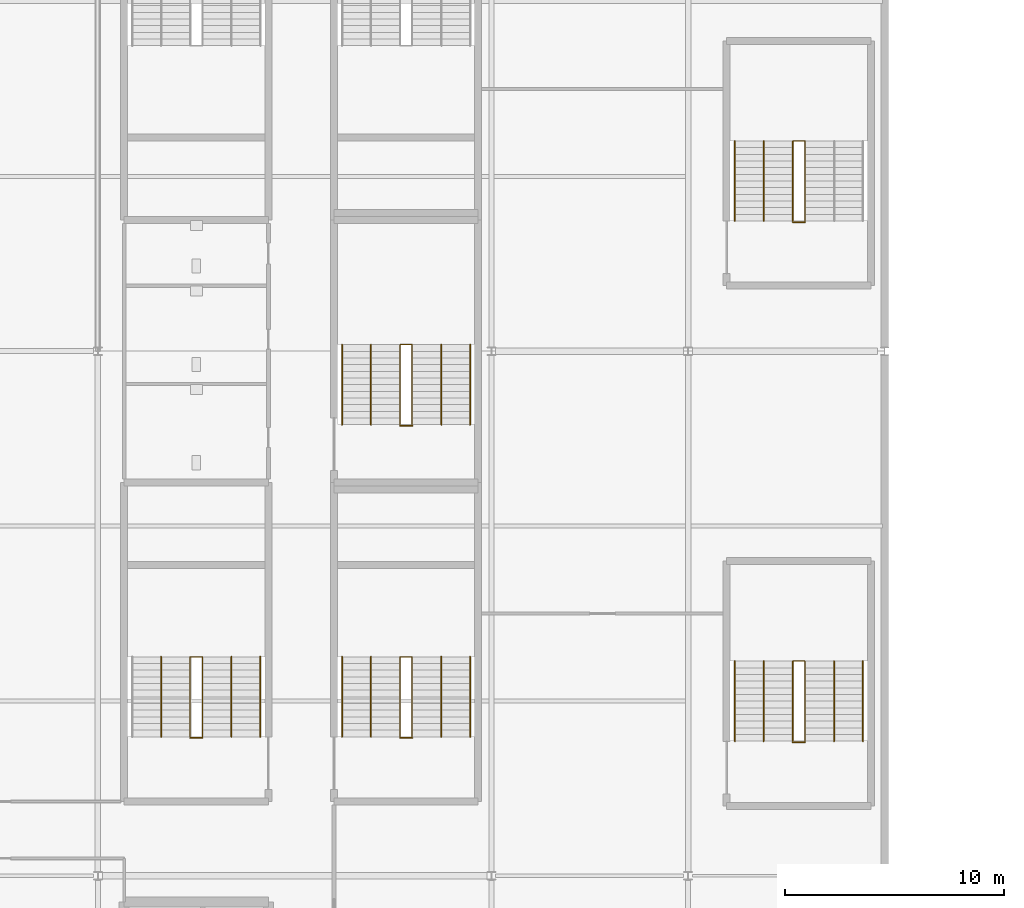
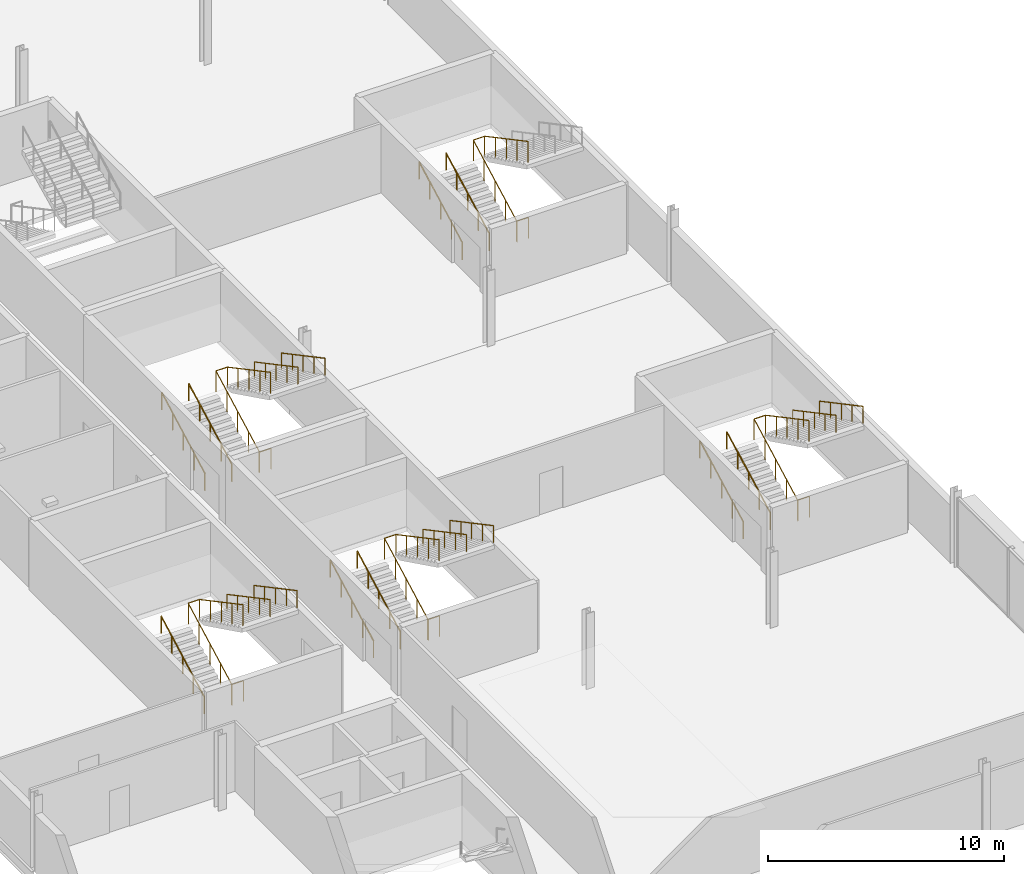
# One storey, part 97 of 105: 27 railings.
"""IFC4 building model written with IfcOpenShell, lengths in metres."""

from ifc_helpers import new_model, si_unit, direction, frame, origin, origin_2d, place, context, subcontext, project, spatial, circle, extrude, material, type_object, element, save


model = new_model("IFC4")

# Units and contexts
model_context = context("Model", 3, precision=1e-05, world=origin(), true_north=direction((0.0, 1.0)))
body_context = subcontext(model_context, "Body", "Model", "MODEL_VIEW")
ifc_project = project(units=[si_unit("LENGTHUNIT", "METRE"), si_unit("AREAUNIT", "SQUARE_METRE"), si_unit("VOLUMEUNIT", "CUBIC_METRE"), si_unit("PLANEANGLEUNIT", "RADIAN"), si_unit("MASSUNIT", "GRAM", prefix="KILO")], contexts=[model_context])

# Site, building, storey
site_placement = place(None, origin())
site = spatial("IfcSite", under=ifc_project, at=site_placement, CompositionType="ELEMENT")
building_placement = place(site_placement, origin())
building = spatial("IfcBuilding", under=site, at=building_placement, Name="Kisiwana Market Hall", CompositionType="ELEMENT")
storey_placement = place(building_placement, frame((0.0, 0.0, 21.60009765625)))
storey = spatial("IfcBuildingStorey", under=building, at=storey_placement, Name="L04", CompositionType="ELEMENT", Elevation=21.60009765625)

# Railings
ifc_material_1 = material(Name="Steel S275", Category="steel")
railing_type_1 = type_object("IfcRailingType", Name="RL-GUARD-1100", PredefinedType="GUARDRAIL", material=ifc_material_1)
railing_1_placement = place(storey_placement, frame((13.219970703125, 42.360107421875, 0.0)))
element("IfcRailing", 1, at=railing_1_placement, inside=storey, type_object=railing_type_1, Name="Stair ST-W3-L04 inner-well guardrail (RL-767)", PredefinedType="GUARDRAIL", context=body_context, shape_type="SweptSolid", body=[
    extrude(circle(Radius=0.02392578125, at=origin_2d()), frame((0.0, 0.0, 1.076171875), z_axis=(0.0, 0.88255331184, 0.47021234752), x_axis=(-1.0, 0.0, 0.0)), (0.0, 0.0, 1.0), 4.14697265625),
    extrude(circle(Radius=0.02392578125, at=origin_2d()), frame((0.0, 3.659912109375, 3.02587890625), z_axis=(1.0, 0.0, 0.0), x_axis=(0.0, 1.0, 0.0)), (0.0, 0.0, 1.0), 0.56005859375),
    extrude(circle(Radius=0.02392578125, at=origin_2d()), frame((0.56005859375, 3.659912109375, 3.02587890625), z_axis=(0.0, -0.88255331184, 0.47021234752), x_axis=(1.0, 0.0, 0.0)), (0.0, 0.0, 1.0), 4.14697265625),
    extrude(circle(Radius=0.02099609375, at=origin_2d()), origin(), (0.0, 0.0, 1.0), 1.052001953125),
    extrude(circle(Radius=0.02099609375, at=origin_2d()), frame((0.0, 0.9150390625, 0.487548828125)), (0.0, 0.0, 1.0), 1.052001953125),
    extrude(circle(Radius=0.02099609375, at=origin_2d()), frame((0.0, 1.830078125, 0.97509765625)), (0.0, 0.0, 1.0), 1.052001953125),
    extrude(circle(Radius=0.02099609375, at=origin_2d()), frame((0.0, 2.744873046875, 1.46240234375)), (0.0, 0.0, 1.0), 1.052001953125),
    extrude(circle(Radius=0.02099609375, at=origin_2d()), frame((0.0, 3.659912109375, 1.949951171875)), (0.0, 0.0, 1.0), 1.052001953125),
    extrude(circle(Radius=0.02099609375, at=origin_2d()), frame((0.56005859375, 3.659912109375, 1.949951171875)), (0.0, 0.0, 1.0), 1.052001953125),
    extrude(circle(Radius=0.02099609375, at=origin_2d()), frame((0.56005859375, 2.744873046875, 2.4375)), (0.0, 0.0, 1.0), 1.052001953125),
    extrude(circle(Radius=0.02099609375, at=origin_2d()), frame((0.56005859375, 1.830078125, 2.9248046875)), (0.0, 0.0, 1.0), 1.052001953125),
    extrude(circle(Radius=0.02099609375, at=origin_2d()), frame((0.56005859375, 0.9150390625, 3.412353515625)), (0.0, 0.0, 1.0), 1.052001953125),
    extrude(circle(Radius=0.02099609375, at=origin_2d()), frame((0.56005859375, 0.0, 3.89990234375)), (0.0, 0.0, 1.0), 1.052001953125),
])
railing_2_placement = place(storey_placement, frame((13.219970703125, 42.31005859375, 0.0)))
element("IfcRailing", 2, at=railing_2_placement, inside=storey, type_object=railing_type_1, Name="Stair ST-W3-L04 landing edge guardrail (RL-772)", PredefinedType="GUARDRAIL", context=body_context, shape_type="SweptSolid", body=[
    extrude(circle(Radius=0.02392578125, at=origin_2d()), frame((0.0, 0.0, 1.076171875), z_axis=(1.0, 0.0, 0.0), x_axis=(0.0, 1.0, 0.0)), (0.0, 0.0, 1.0), 0.56005859375),
    extrude(circle(Radius=0.02099609375, at=origin_2d()), origin(), (0.0, 0.0, 1.0), 1.052001953125),
    extrude(circle(Radius=0.02099609375, at=origin_2d()), frame((0.56005859375, 0.0, 0.0)), (0.0, 0.0, 1.0), 1.052001953125),
])
railing_3_placement = place(storey_placement, frame((22.820068359375, 42.360107421875, 0.0)))
element("IfcRailing", 3, at=railing_3_placement, inside=storey, type_object=railing_type_1, Name="Stair ST-W7-L04 inner-well guardrail (RL-791)", PredefinedType="GUARDRAIL", context=body_context, shape_type="SweptSolid", body=[
    extrude(circle(Radius=0.02392578125, at=origin_2d()), frame((0.0, 0.0, 1.076171875), z_axis=(0.0, 0.88255331184, 0.47021234752), x_axis=(-1.0, 0.0, 0.0)), (0.0, 0.0, 1.0), 4.14697265625),
    extrude(circle(Radius=0.02392578125, at=origin_2d()), frame((0.0, 3.659912109375, 3.02587890625), z_axis=(1.0, 0.0, 0.0), x_axis=(0.0, 1.0, 0.0)), (0.0, 0.0, 1.0), 0.559814453125),
    extrude(circle(Radius=0.02392578125, at=origin_2d()), frame((0.559814453125, 3.659912109375, 3.02587890625), z_axis=(0.0, -0.88255331184, 0.47021234752), x_axis=(1.0, 0.0, 0.0)), (0.0, 0.0, 1.0), 4.14697265625),
    extrude(circle(Radius=0.02099609375, at=origin_2d()), origin(), (0.0, 0.0, 1.0), 1.052001953125),
    extrude(circle(Radius=0.02099609375, at=origin_2d()), frame((0.0, 0.9150390625, 0.487548828125)), (0.0, 0.0, 1.0), 1.052001953125),
    extrude(circle(Radius=0.02099609375, at=origin_2d()), frame((0.0, 1.830078125, 0.97509765625)), (0.0, 0.0, 1.0), 1.052001953125),
    extrude(circle(Radius=0.02099609375, at=origin_2d()), frame((0.0, 2.744873046875, 1.46240234375)), (0.0, 0.0, 1.0), 1.052001953125),
    extrude(circle(Radius=0.02099609375, at=origin_2d()), frame((0.0, 3.659912109375, 1.949951171875)), (0.0, 0.0, 1.0), 1.052001953125),
    extrude(circle(Radius=0.02099609375, at=origin_2d()), frame((0.559814453125, 3.659912109375, 1.949951171875)), (0.0, 0.0, 1.0), 1.052001953125),
    extrude(circle(Radius=0.02099609375, at=origin_2d()), frame((0.559814453125, 2.744873046875, 2.4375)), (0.0, 0.0, 1.0), 1.052001953125),
    extrude(circle(Radius=0.02099609375, at=origin_2d()), frame((0.559814453125, 1.830078125, 2.9248046875)), (0.0, 0.0, 1.0), 1.052001953125),
    extrude(circle(Radius=0.02099609375, at=origin_2d()), frame((0.559814453125, 0.9150390625, 3.412353515625)), (0.0, 0.0, 1.0), 1.052001953125),
    extrude(circle(Radius=0.02099609375, at=origin_2d()), frame((0.559814453125, 0.0, 3.89990234375)), (0.0, 0.0, 1.0), 1.052001953125),
])
railing_4_placement = place(storey_placement, frame((22.820068359375, 42.31005859375, 0.0)))
element("IfcRailing", 4, at=railing_4_placement, inside=storey, type_object=railing_type_1, Name="Stair ST-W7-L04 landing edge guardrail (RL-796)", PredefinedType="GUARDRAIL", context=body_context, shape_type="SweptSolid", body=[
    extrude(circle(Radius=0.02392578125, at=origin_2d()), frame((0.0, 0.0, 1.076171875), z_axis=(1.0, 0.0, 0.0), x_axis=(0.0, 1.0, 0.0)), (0.0, 0.0, 1.0), 0.559814453125),
    extrude(circle(Radius=0.02099609375, at=origin_2d()), origin(), (0.0, 0.0, 1.0), 1.052001953125),
    extrude(circle(Radius=0.02099609375, at=origin_2d()), frame((0.559814453125, 0.0, 0.0)), (0.0, 0.0, 1.0), 1.052001953125),
])
railing_5_placement = place(storey_placement, frame((40.7900390625, 42.159912109375, 0.0)))
element("IfcRailing", 5, at=railing_5_placement, inside=storey, type_object=railing_type_1, Name="Stair ST-W9-L04 inner-well guardrail (RL-815)", PredefinedType="GUARDRAIL", context=body_context, shape_type="SweptSolid", body=[
    extrude(circle(Radius=0.02392578125, at=origin_2d()), frame((0.0, 0.0, 1.076171875), z_axis=(0.0, 0.882566327451, 0.470187917379), x_axis=(-1.0, 0.0, 0.0)), (0.0, 0.0, 1.0), 4.147216796875),
    extrude(circle(Radius=0.02392578125, at=origin_2d()), frame((0.0, 3.66015625, 3.02587890625), z_axis=(1.0, 0.0, 0.0), x_axis=(0.0, 1.0, 0.0)), (0.0, 0.0, 1.0), 0.56005859375),
    extrude(circle(Radius=0.02392578125, at=origin_2d()), frame((0.56005859375, 3.66015625, 3.02587890625), z_axis=(0.0, -0.882566327451, 0.470187917379), x_axis=(1.0, 0.0, 0.0)), (0.0, 0.0, 1.0), 4.147216796875),
    extrude(circle(Radius=0.02099609375, at=origin_2d()), origin(), (0.0, 0.0, 1.0), 1.052001953125),
    extrude(circle(Radius=0.02099609375, at=origin_2d()), frame((0.0, 0.9150390625, 0.487548828125)), (0.0, 0.0, 1.0), 1.052001953125),
    extrude(circle(Radius=0.02099609375, at=origin_2d()), frame((0.0, 1.830078125, 0.97509765625)), (0.0, 0.0, 1.0), 1.052001953125),
    extrude(circle(Radius=0.02099609375, at=origin_2d()), frame((0.0, 2.7451171875, 1.46240234375)), (0.0, 0.0, 1.0), 1.052001953125),
    extrude(circle(Radius=0.02099609375, at=origin_2d()), frame((0.0, 3.66015625, 1.949951171875)), (0.0, 0.0, 1.0), 1.052001953125),
    extrude(circle(Radius=0.02099609375, at=origin_2d()), frame((0.56005859375, 3.66015625, 1.949951171875)), (0.0, 0.0, 1.0), 1.052001953125),
    extrude(circle(Radius=0.02099609375, at=origin_2d()), frame((0.56005859375, 2.7451171875, 2.4375)), (0.0, 0.0, 1.0), 1.052001953125),
    extrude(circle(Radius=0.02099609375, at=origin_2d()), frame((0.56005859375, 1.830078125, 2.9248046875)), (0.0, 0.0, 1.0), 1.052001953125),
    extrude(circle(Radius=0.02099609375, at=origin_2d()), frame((0.56005859375, 0.9150390625, 3.412353515625)), (0.0, 0.0, 1.0), 1.052001953125),
    extrude(circle(Radius=0.02099609375, at=origin_2d()), frame((0.56005859375, 0.0, 3.89990234375)), (0.0, 0.0, 1.0), 1.052001953125),
])
railing_6_placement = place(storey_placement, frame((40.7900390625, 42.110107421875, 0.0)))
element("IfcRailing", 6, at=railing_6_placement, inside=storey, type_object=railing_type_1, Name="Stair ST-W9-L04 landing edge guardrail (RL-820)", PredefinedType="GUARDRAIL", context=body_context, shape_type="SweptSolid", body=[
    extrude(circle(Radius=0.02392578125, at=origin_2d()), frame((0.0, 0.0, 1.076171875), z_axis=(1.0, 0.0, 0.0), x_axis=(0.0, 1.0, 0.0)), (0.0, 0.0, 1.0), 0.56005859375),
    extrude(circle(Radius=0.02099609375, at=origin_2d()), origin(), (0.0, 0.0, 1.0), 1.052001953125),
    extrude(circle(Radius=0.02099609375, at=origin_2d()), frame((0.56005859375, 0.0, 0.0)), (0.0, 0.0, 1.0), 1.052001953125),
])
railing_7_placement = place(storey_placement, frame((40.7900390625, 65.9599609375, 0.0)))
element("IfcRailing", 7, at=railing_7_placement, inside=storey, type_object=railing_type_1, Name="Stair ST-W10-L04 inner-well guardrail (RL-827)", PredefinedType="GUARDRAIL", context=body_context, shape_type="SweptSolid", body=[
    extrude(circle(Radius=0.02392578125, at=origin_2d()), frame((0.0, 0.0, 1.076171875), z_axis=(0.0, 0.882566327451, 0.470187917379), x_axis=(-1.0, 0.0, 0.0)), (0.0, 0.0, 1.0), 4.147216796875),
    extrude(circle(Radius=0.02392578125, at=origin_2d()), frame((0.0, 3.66015625, 3.02587890625), z_axis=(1.0, 0.0, 0.0), x_axis=(0.0, 1.0, 0.0)), (0.0, 0.0, 1.0), 0.56005859375),
    extrude(circle(Radius=0.02392578125, at=origin_2d()), frame((0.56005859375, 3.66015625, 3.02587890625), z_axis=(0.0, -0.882566327451, 0.470187917379), x_axis=(1.0, 0.0, 0.0)), (0.0, 0.0, 1.0), 4.147216796875),
    extrude(circle(Radius=0.02099609375, at=origin_2d()), origin(), (0.0, 0.0, 1.0), 1.052001953125),
    extrude(circle(Radius=0.02099609375, at=origin_2d()), frame((0.0, 0.9150390625, 0.487548828125)), (0.0, 0.0, 1.0), 1.052001953125),
    extrude(circle(Radius=0.02099609375, at=origin_2d()), frame((0.0, 1.830078125, 0.97509765625)), (0.0, 0.0, 1.0), 1.052001953125),
    extrude(circle(Radius=0.02099609375, at=origin_2d()), frame((0.0, 2.7451171875, 1.46240234375)), (0.0, 0.0, 1.0), 1.052001953125),
    extrude(circle(Radius=0.02099609375, at=origin_2d()), frame((0.0, 3.66015625, 1.949951171875)), (0.0, 0.0, 1.0), 1.052001953125),
    extrude(circle(Radius=0.02099609375, at=origin_2d()), frame((0.56005859375, 3.66015625, 1.949951171875)), (0.0, 0.0, 1.0), 1.052001953125),
    extrude(circle(Radius=0.02099609375, at=origin_2d()), frame((0.56005859375, 2.7451171875, 2.4375)), (0.0, 0.0, 1.0), 1.052001953125),
    extrude(circle(Radius=0.02099609375, at=origin_2d()), frame((0.56005859375, 1.830078125, 2.9248046875)), (0.0, 0.0, 1.0), 1.052001953125),
    extrude(circle(Radius=0.02099609375, at=origin_2d()), frame((0.56005859375, 0.9150390625, 3.412353515625)), (0.0, 0.0, 1.0), 1.052001953125),
    extrude(circle(Radius=0.02099609375, at=origin_2d()), frame((0.56005859375, 0.0, 3.89990234375)), (0.0, 0.0, 1.0), 1.052001953125),
])
railing_8_placement = place(storey_placement, frame((40.7900390625, 65.909912109375, 0.0)))
element("IfcRailing", 8, at=railing_8_placement, inside=storey, type_object=railing_type_1, Name="Stair ST-W10-L04 landing edge guardrail (RL-832)", PredefinedType="GUARDRAIL", context=body_context, shape_type="SweptSolid", body=[
    extrude(circle(Radius=0.02392578125, at=origin_2d()), frame((0.0, 0.0, 1.076171875), z_axis=(1.0, 0.0, 0.0), x_axis=(0.0, 1.0, 0.0)), (0.0, 0.0, 1.0), 0.56005859375),
    extrude(circle(Radius=0.02099609375, at=origin_2d()), origin(), (0.0, 0.0, 1.0), 1.052001953125),
    extrude(circle(Radius=0.02099609375, at=origin_2d()), frame((0.56005859375, 0.0, 0.0)), (0.0, 0.0, 1.0), 1.052001953125),
])
railing_9_placement = place(storey_placement, frame((22.820068359375, 56.639892578125, 0.0)))
element("IfcRailing", 9, at=railing_9_placement, inside=storey, type_object=railing_type_1, Name="Stair ST-W5-L04 inner-well guardrail (RL-839)", PredefinedType="GUARDRAIL", context=body_context, shape_type="SweptSolid", body=[
    extrude(circle(Radius=0.02392578125, at=origin_2d()), frame((0.0, 0.0, 1.076171875), z_axis=(0.0, 0.882566327451, 0.470187917379), x_axis=(-1.0, 0.0, 0.0)), (0.0, 0.0, 1.0), 4.147216796875),
    extrude(circle(Radius=0.02392578125, at=origin_2d()), frame((0.0, 3.66015625, 3.02587890625), z_axis=(1.0, 0.0, 0.0), x_axis=(0.0, 1.0, 0.0)), (0.0, 0.0, 1.0), 0.559814453125),
    extrude(circle(Radius=0.02392578125, at=origin_2d()), frame((0.559814453125, 3.66015625, 3.02587890625), z_axis=(0.0, -0.882566327451, 0.470187917379), x_axis=(1.0, 0.0, 0.0)), (0.0, 0.0, 1.0), 4.147216796875),
    extrude(circle(Radius=0.02099609375, at=origin_2d()), origin(), (0.0, 0.0, 1.0), 1.052001953125),
    extrude(circle(Radius=0.02099609375, at=origin_2d()), frame((0.0, 0.9150390625, 0.487548828125)), (0.0, 0.0, 1.0), 1.052001953125),
    extrude(circle(Radius=0.02099609375, at=origin_2d()), frame((0.0, 1.830078125, 0.97509765625)), (0.0, 0.0, 1.0), 1.052001953125),
    extrude(circle(Radius=0.02099609375, at=origin_2d()), frame((0.0, 2.7451171875, 1.46240234375)), (0.0, 0.0, 1.0), 1.052001953125),
    extrude(circle(Radius=0.02099609375, at=origin_2d()), frame((0.0, 3.66015625, 1.949951171875)), (0.0, 0.0, 1.0), 1.052001953125),
    extrude(circle(Radius=0.02099609375, at=origin_2d()), frame((0.559814453125, 3.66015625, 1.949951171875)), (0.0, 0.0, 1.0), 1.052001953125),
    extrude(circle(Radius=0.02099609375, at=origin_2d()), frame((0.559814453125, 2.7451171875, 2.4375)), (0.0, 0.0, 1.0), 1.052001953125),
    extrude(circle(Radius=0.02099609375, at=origin_2d()), frame((0.559814453125, 1.830078125, 2.9248046875)), (0.0, 0.0, 1.0), 1.052001953125),
    extrude(circle(Radius=0.02099609375, at=origin_2d()), frame((0.559814453125, 0.9150390625, 3.412353515625)), (0.0, 0.0, 1.0), 1.052001953125),
    extrude(circle(Radius=0.02099609375, at=origin_2d()), frame((0.559814453125, 0.0, 3.89990234375)), (0.0, 0.0, 1.0), 1.052001953125),
])
railing_10_placement = place(storey_placement, frame((22.820068359375, 56.590087890625, 0.0)))
element("IfcRailing", 10, at=railing_10_placement, inside=storey, type_object=railing_type_1, Name="Stair ST-W5-L04 landing edge guardrail (RL-844)", PredefinedType="GUARDRAIL", context=body_context, shape_type="SweptSolid", body=[
    extrude(circle(Radius=0.02392578125, at=origin_2d()), frame((0.0, 0.0, 1.076171875), z_axis=(1.0, 0.0, 0.0), x_axis=(0.0, 1.0, 0.0)), (0.0, 0.0, 1.0), 0.559814453125),
    extrude(circle(Radius=0.02099609375, at=origin_2d()), origin(), (0.0, 0.0, 1.0), 1.052001953125),
    extrude(circle(Radius=0.02099609375, at=origin_2d()), frame((0.559814453125, 0.0, 0.0)), (0.0, 0.0, 1.0), 1.052001953125),
])
ifc_material_2 = material(Name="Steel S275", Category="steel")
railing_type_2 = type_object("IfcRailingType", Name="RL-HAND-900", PredefinedType="HANDRAIL", material=ifc_material_2)
railing_11_placement = place(storey_placement, frame((16.429931640625, 46.02001953125, 1.949951171875)))
element("IfcRailing", 11, at=railing_11_placement, inside=storey, type_object=railing_type_2, Name="Stair ST-W3-L04 flight 2 handrail (RL-769)", PredefinedType="HANDRAIL", context=body_context, shape_type="SweptSolid", body=[
    extrude(circle(Radius=0.02392578125, at=origin_2d()), frame((0.0, 0.0, 0.8759765625), z_axis=(0.0, -0.88255331184, 0.47021234752), x_axis=(1.0, 0.0, 0.0)), (0.0, 0.0, 1.0), 4.14697265625),
    extrude(circle(Radius=0.02099609375, at=origin_2d()), origin(), (0.0, 0.0, 1.0), 0.851806640625),
    extrude(circle(Radius=0.02099609375, at=origin_2d()), frame((0.0, -0.9150390625, 0.487548828125)), (0.0, 0.0, 1.0), 0.851806640625),
    extrude(circle(Radius=0.02099609375, at=origin_2d()), frame((0.0, -1.830078125, 0.97509765625)), (0.0, 0.0, 1.0), 0.851806640625),
    extrude(circle(Radius=0.02099609375, at=origin_2d()), frame((0.0, -2.744873046875, 1.46240234375)), (0.0, 0.0, 1.0), 0.851806640625),
    extrude(circle(Radius=0.02099609375, at=origin_2d()), frame((0.0, -3.659912109375, 1.949951171875)), (0.0, 0.0, 1.0), 0.851806640625),
])
railing_12_placement = place(storey_placement, frame((11.889892578125, 42.360107421875, 0.0)))
element("IfcRailing", 12, at=railing_12_placement, inside=storey, type_object=railing_type_2, Name="Stair ST-W3-L04 flight 1 intermediate handrail (RL-770)", PredefinedType="HANDRAIL", context=body_context, shape_type="SweptSolid", body=[
    extrude(circle(Radius=0.02392578125, at=origin_2d()), frame((0.0, 0.0, 0.8759765625), z_axis=(0.0, 0.88255331184, 0.47021234752), x_axis=(-1.0, 0.0, 0.0)), (0.0, 0.0, 1.0), 4.14697265625),
    extrude(circle(Radius=0.02099609375, at=origin_2d()), origin(), (0.0, 0.0, 1.0), 0.851806640625),
    extrude(circle(Radius=0.02099609375, at=origin_2d()), frame((0.0, 0.9150390625, 0.487548828125)), (0.0, 0.0, 1.0), 0.851806640625),
    extrude(circle(Radius=0.02099609375, at=origin_2d()), frame((0.0, 1.830078125, 0.97509765625)), (0.0, 0.0, 1.0), 0.851806640625),
    extrude(circle(Radius=0.02099609375, at=origin_2d()), frame((0.0, 2.744873046875, 1.46240234375)), (0.0, 0.0, 1.0), 0.851806640625),
    extrude(circle(Radius=0.02099609375, at=origin_2d()), frame((0.0, 3.659912109375, 1.949951171875)), (0.0, 0.0, 1.0), 0.851806640625),
])
railing_13_placement = place(storey_placement, frame((15.110107421875, 46.02001953125, 1.949951171875)))
element("IfcRailing", 13, at=railing_13_placement, inside=storey, type_object=railing_type_2, Name="Stair ST-W3-L04 flight 2 intermediate handrail (RL-771)", PredefinedType="HANDRAIL", context=body_context, shape_type="SweptSolid", body=[
    extrude(circle(Radius=0.02392578125, at=origin_2d()), frame((0.0, 0.0, 0.8759765625), z_axis=(0.0, -0.88255331184, 0.47021234752), x_axis=(1.0, 0.0, 0.0)), (0.0, 0.0, 1.0), 4.14697265625),
    extrude(circle(Radius=0.02099609375, at=origin_2d()), origin(), (0.0, 0.0, 1.0), 0.851806640625),
    extrude(circle(Radius=0.02099609375, at=origin_2d()), frame((0.0, -0.9150390625, 0.487548828125)), (0.0, 0.0, 1.0), 0.851806640625),
    extrude(circle(Radius=0.02099609375, at=origin_2d()), frame((0.0, -1.830078125, 0.97509765625)), (0.0, 0.0, 1.0), 0.851806640625),
    extrude(circle(Radius=0.02099609375, at=origin_2d()), frame((0.0, -2.744873046875, 1.46240234375)), (0.0, 0.0, 1.0), 0.851806640625),
    extrude(circle(Radius=0.02099609375, at=origin_2d()), frame((0.0, -3.659912109375, 1.949951171875)), (0.0, 0.0, 1.0), 0.851806640625),
])
railing_14_placement = place(storey_placement, frame((20.169921875, 42.360107421875, 0.0)))
element("IfcRailing", 14, at=railing_14_placement, inside=storey, type_object=railing_type_2, Name="Stair ST-W7-L04 flight 1 handrail (RL-792)", PredefinedType="HANDRAIL", context=body_context, shape_type="SweptSolid", body=[
    extrude(circle(Radius=0.02392578125, at=origin_2d()), frame((0.0, 0.0, 0.8759765625), z_axis=(0.0, 0.88255331184, 0.47021234752), x_axis=(-1.0, 0.0, 0.0)), (0.0, 0.0, 1.0), 4.14697265625),
    extrude(circle(Radius=0.02099609375, at=origin_2d()), origin(), (0.0, 0.0, 1.0), 0.851806640625),
    extrude(circle(Radius=0.02099609375, at=origin_2d()), frame((0.0, 0.9150390625, 0.487548828125)), (0.0, 0.0, 1.0), 0.851806640625),
    extrude(circle(Radius=0.02099609375, at=origin_2d()), frame((0.0, 1.830078125, 0.97509765625)), (0.0, 0.0, 1.0), 0.851806640625),
    extrude(circle(Radius=0.02099609375, at=origin_2d()), frame((0.0, 2.744873046875, 1.46240234375)), (0.0, 0.0, 1.0), 0.851806640625),
    extrude(circle(Radius=0.02099609375, at=origin_2d()), frame((0.0, 3.659912109375, 1.949951171875)), (0.0, 0.0, 1.0), 0.851806640625),
])
railing_15_placement = place(storey_placement, frame((26.030029296875, 46.02001953125, 1.949951171875)))
element("IfcRailing", 15, at=railing_15_placement, inside=storey, type_object=railing_type_2, Name="Stair ST-W7-L04 flight 2 handrail (RL-793)", PredefinedType="HANDRAIL", context=body_context, shape_type="SweptSolid", body=[
    extrude(circle(Radius=0.02392578125, at=origin_2d()), frame((0.0, 0.0, 0.8759765625), z_axis=(0.0, -0.88255331184, 0.47021234752), x_axis=(1.0, 0.0, 0.0)), (0.0, 0.0, 1.0), 4.14697265625),
    extrude(circle(Radius=0.02099609375, at=origin_2d()), origin(), (0.0, 0.0, 1.0), 0.851806640625),
    extrude(circle(Radius=0.02099609375, at=origin_2d()), frame((0.0, -0.9150390625, 0.487548828125)), (0.0, 0.0, 1.0), 0.851806640625),
    extrude(circle(Radius=0.02099609375, at=origin_2d()), frame((0.0, -1.830078125, 0.97509765625)), (0.0, 0.0, 1.0), 0.851806640625),
    extrude(circle(Radius=0.02099609375, at=origin_2d()), frame((0.0, -2.744873046875, 1.46240234375)), (0.0, 0.0, 1.0), 0.851806640625),
    extrude(circle(Radius=0.02099609375, at=origin_2d()), frame((0.0, -3.659912109375, 1.949951171875)), (0.0, 0.0, 1.0), 0.851806640625),
])
railing_16_placement = place(storey_placement, frame((21.489990234375, 42.360107421875, 0.0)))
element("IfcRailing", 16, at=railing_16_placement, inside=storey, type_object=railing_type_2, Name="Stair ST-W7-L04 flight 1 intermediate handrail (RL-794)", PredefinedType="HANDRAIL", context=body_context, shape_type="SweptSolid", body=[
    extrude(circle(Radius=0.02392578125, at=origin_2d()), frame((0.0, 0.0, 0.8759765625), z_axis=(0.0, 0.88255331184, 0.47021234752), x_axis=(-1.0, 0.0, 0.0)), (0.0, 0.0, 1.0), 4.14697265625),
    extrude(circle(Radius=0.02099609375, at=origin_2d()), origin(), (0.0, 0.0, 1.0), 0.851806640625),
    extrude(circle(Radius=0.02099609375, at=origin_2d()), frame((0.0, 0.9150390625, 0.487548828125)), (0.0, 0.0, 1.0), 0.851806640625),
    extrude(circle(Radius=0.02099609375, at=origin_2d()), frame((0.0, 1.830078125, 0.97509765625)), (0.0, 0.0, 1.0), 0.851806640625),
    extrude(circle(Radius=0.02099609375, at=origin_2d()), frame((0.0, 2.744873046875, 1.46240234375)), (0.0, 0.0, 1.0), 0.851806640625),
    extrude(circle(Radius=0.02099609375, at=origin_2d()), frame((0.0, 3.659912109375, 1.949951171875)), (0.0, 0.0, 1.0), 0.851806640625),
])
railing_17_placement = place(storey_placement, frame((24.7099609375, 46.02001953125, 1.949951171875)))
element("IfcRailing", 17, at=railing_17_placement, inside=storey, type_object=railing_type_2, Name="Stair ST-W7-L04 flight 2 intermediate handrail (RL-795)", PredefinedType="HANDRAIL", context=body_context, shape_type="SweptSolid", body=[
    extrude(circle(Radius=0.02392578125, at=origin_2d()), frame((0.0, 0.0, 0.8759765625), z_axis=(0.0, -0.88255331184, 0.47021234752), x_axis=(1.0, 0.0, 0.0)), (0.0, 0.0, 1.0), 4.14697265625),
    extrude(circle(Radius=0.02099609375, at=origin_2d()), origin(), (0.0, 0.0, 1.0), 0.851806640625),
    extrude(circle(Radius=0.02099609375, at=origin_2d()), frame((0.0, -0.9150390625, 0.487548828125)), (0.0, 0.0, 1.0), 0.851806640625),
    extrude(circle(Radius=0.02099609375, at=origin_2d()), frame((0.0, -1.830078125, 0.97509765625)), (0.0, 0.0, 1.0), 0.851806640625),
    extrude(circle(Radius=0.02099609375, at=origin_2d()), frame((0.0, -2.744873046875, 1.46240234375)), (0.0, 0.0, 1.0), 0.851806640625),
    extrude(circle(Radius=0.02099609375, at=origin_2d()), frame((0.0, -3.659912109375, 1.949951171875)), (0.0, 0.0, 1.0), 0.851806640625),
])
railing_18_placement = place(storey_placement, frame((38.139892578125, 42.159912109375, 0.0)))
element("IfcRailing", 18, at=railing_18_placement, inside=storey, type_object=railing_type_2, Name="Stair ST-W9-L04 flight 1 handrail (RL-816)", PredefinedType="HANDRAIL", context=body_context, shape_type="SweptSolid", body=[
    extrude(circle(Radius=0.02392578125, at=origin_2d()), frame((0.0, 0.0, 0.8759765625), z_axis=(0.0, 0.882566327451, 0.470187917379), x_axis=(-1.0, 0.0, 0.0)), (0.0, 0.0, 1.0), 4.147216796875),
    extrude(circle(Radius=0.02099609375, at=origin_2d()), origin(), (0.0, 0.0, 1.0), 0.851806640625),
    extrude(circle(Radius=0.02099609375, at=origin_2d()), frame((0.0, 0.9150390625, 0.487548828125)), (0.0, 0.0, 1.0), 0.851806640625),
    extrude(circle(Radius=0.02099609375, at=origin_2d()), frame((0.0, 1.830078125, 0.97509765625)), (0.0, 0.0, 1.0), 0.851806640625),
    extrude(circle(Radius=0.02099609375, at=origin_2d()), frame((0.0, 2.7451171875, 1.46240234375)), (0.0, 0.0, 1.0), 0.851806640625),
    extrude(circle(Radius=0.02099609375, at=origin_2d()), frame((0.0, 3.66015625, 1.949951171875)), (0.0, 0.0, 1.0), 0.851806640625),
])
railing_19_placement = place(storey_placement, frame((44.0, 45.820068359375, 1.949951171875)))
element("IfcRailing", 19, at=railing_19_placement, inside=storey, type_object=railing_type_2, Name="Stair ST-W9-L04 flight 2 handrail (RL-817)", PredefinedType="HANDRAIL", context=body_context, shape_type="SweptSolid", body=[
    extrude(circle(Radius=0.02392578125, at=origin_2d()), frame((0.0, 0.0, 0.8759765625), z_axis=(0.0, -0.882566327451, 0.470187917379), x_axis=(1.0, 0.0, 0.0)), (0.0, 0.0, 1.0), 4.147216796875),
    extrude(circle(Radius=0.02099609375, at=origin_2d()), origin(), (0.0, 0.0, 1.0), 0.851806640625),
    extrude(circle(Radius=0.02099609375, at=origin_2d()), frame((0.0, -0.9150390625, 0.487548828125)), (0.0, 0.0, 1.0), 0.851806640625),
    extrude(circle(Radius=0.02099609375, at=origin_2d()), frame((0.0, -1.830078125, 0.97509765625)), (0.0, 0.0, 1.0), 0.851806640625),
    extrude(circle(Radius=0.02099609375, at=origin_2d()), frame((0.0, -2.7451171875, 1.46240234375)), (0.0, 0.0, 1.0), 0.851806640625),
    extrude(circle(Radius=0.02099609375, at=origin_2d()), frame((0.0, -3.66015625, 1.949951171875)), (0.0, 0.0, 1.0), 0.851806640625),
])
railing_20_placement = place(storey_placement, frame((39.4599609375, 42.159912109375, 0.0)))
element("IfcRailing", 20, at=railing_20_placement, inside=storey, type_object=railing_type_2, Name="Stair ST-W9-L04 flight 1 intermediate handrail (RL-818)", PredefinedType="HANDRAIL", context=body_context, shape_type="SweptSolid", body=[
    extrude(circle(Radius=0.02392578125, at=origin_2d()), frame((0.0, 0.0, 0.8759765625), z_axis=(0.0, 0.882566327451, 0.470187917379), x_axis=(-1.0, 0.0, 0.0)), (0.0, 0.0, 1.0), 4.147216796875),
    extrude(circle(Radius=0.02099609375, at=origin_2d()), origin(), (0.0, 0.0, 1.0), 0.851806640625),
    extrude(circle(Radius=0.02099609375, at=origin_2d()), frame((0.0, 0.9150390625, 0.487548828125)), (0.0, 0.0, 1.0), 0.851806640625),
    extrude(circle(Radius=0.02099609375, at=origin_2d()), frame((0.0, 1.830078125, 0.97509765625)), (0.0, 0.0, 1.0), 0.851806640625),
    extrude(circle(Radius=0.02099609375, at=origin_2d()), frame((0.0, 2.7451171875, 1.46240234375)), (0.0, 0.0, 1.0), 0.851806640625),
    extrude(circle(Radius=0.02099609375, at=origin_2d()), frame((0.0, 3.66015625, 1.949951171875)), (0.0, 0.0, 1.0), 0.851806640625),
])
railing_21_placement = place(storey_placement, frame((42.679931640625, 45.820068359375, 1.949951171875)))
element("IfcRailing", 21, at=railing_21_placement, inside=storey, type_object=railing_type_2, Name="Stair ST-W9-L04 flight 2 intermediate handrail (RL-819)", PredefinedType="HANDRAIL", context=body_context, shape_type="SweptSolid", body=[
    extrude(circle(Radius=0.02392578125, at=origin_2d()), frame((0.0, 0.0, 0.8759765625), z_axis=(0.0, -0.882566327451, 0.470187917379), x_axis=(1.0, 0.0, 0.0)), (0.0, 0.0, 1.0), 4.147216796875),
    extrude(circle(Radius=0.02099609375, at=origin_2d()), origin(), (0.0, 0.0, 1.0), 0.851806640625),
    extrude(circle(Radius=0.02099609375, at=origin_2d()), frame((0.0, -0.9150390625, 0.487548828125)), (0.0, 0.0, 1.0), 0.851806640625),
    extrude(circle(Radius=0.02099609375, at=origin_2d()), frame((0.0, -1.830078125, 0.97509765625)), (0.0, 0.0, 1.0), 0.851806640625),
    extrude(circle(Radius=0.02099609375, at=origin_2d()), frame((0.0, -2.7451171875, 1.46240234375)), (0.0, 0.0, 1.0), 0.851806640625),
    extrude(circle(Radius=0.02099609375, at=origin_2d()), frame((0.0, -3.66015625, 1.949951171875)), (0.0, 0.0, 1.0), 0.851806640625),
])
for number, where, name in (
    (22, (38.139892578125, 65.9599609375, 0.0), "Stair ST-W10-L04 flight 1 handrail (RL-828)"),
    (23, (39.4599609375, 65.9599609375, 0.0), "Stair ST-W10-L04 flight 1 intermediate handrail (RL-830)"),
    (24, (20.169921875, 56.639892578125, 0.0), "Stair ST-W5-L04 flight 1 handrail (RL-840)"),
):
    element("IfcRailing", number, at=place(storey_placement, frame(where)), inside=storey, type_object=railing_type_2, Name=name, PredefinedType="HANDRAIL", context=body_context, shape_type="SweptSolid", body=[
        extrude(circle(Radius=0.02392578125, at=origin_2d()), frame((0.0, 0.0, 0.8759765625), z_axis=(0.0, 0.882566327451, 0.470187917379), x_axis=(-1.0, 0.0, 0.0)), (0.0, 0.0, 1.0), 4.147216796875),
        extrude(circle(Radius=0.02099609375, at=origin_2d()), origin(), (0.0, 0.0, 1.0), 0.851806640625),
        extrude(circle(Radius=0.02099609375, at=origin_2d()), frame((0.0, 0.9150390625, 0.487548828125)), (0.0, 0.0, 1.0), 0.851806640625),
        extrude(circle(Radius=0.02099609375, at=origin_2d()), frame((0.0, 1.830078125, 0.97509765625)), (0.0, 0.0, 1.0), 0.851806640625),
        extrude(circle(Radius=0.02099609375, at=origin_2d()), frame((0.0, 2.7451171875, 1.46240234375)), (0.0, 0.0, 1.0), 0.851806640625),
        extrude(circle(Radius=0.02099609375, at=origin_2d()), frame((0.0, 3.66015625, 1.949951171875)), (0.0, 0.0, 1.0), 0.851806640625),
    ])
railing_22_placement = place(storey_placement, frame((26.030029296875, 60.300048828125, 1.949951171875)))
element("IfcRailing", 25, at=railing_22_placement, inside=storey, type_object=railing_type_2, Name="Stair ST-W5-L04 flight 2 handrail (RL-841)", PredefinedType="HANDRAIL", context=body_context, shape_type="SweptSolid", body=[
    extrude(circle(Radius=0.02392578125, at=origin_2d()), frame((0.0, 0.0, 0.8759765625), z_axis=(0.0, -0.882566327451, 0.470187917379), x_axis=(1.0, 0.0, 0.0)), (0.0, 0.0, 1.0), 4.147216796875),
    extrude(circle(Radius=0.02099609375, at=origin_2d()), origin(), (0.0, 0.0, 1.0), 0.851806640625),
    extrude(circle(Radius=0.02099609375, at=origin_2d()), frame((0.0, -0.9150390625, 0.487548828125)), (0.0, 0.0, 1.0), 0.851806640625),
    extrude(circle(Radius=0.02099609375, at=origin_2d()), frame((0.0, -1.830078125, 0.97509765625)), (0.0, 0.0, 1.0), 0.851806640625),
    extrude(circle(Radius=0.02099609375, at=origin_2d()), frame((0.0, -2.7451171875, 1.46240234375)), (0.0, 0.0, 1.0), 0.851806640625),
    extrude(circle(Radius=0.02099609375, at=origin_2d()), frame((0.0, -3.66015625, 1.949951171875)), (0.0, 0.0, 1.0), 0.851806640625),
])
railing_23_placement = place(storey_placement, frame((21.489990234375, 56.639892578125, 0.0)))
element("IfcRailing", 26, at=railing_23_placement, inside=storey, type_object=railing_type_2, Name="Stair ST-W5-L04 flight 1 intermediate handrail (RL-842)", PredefinedType="HANDRAIL", context=body_context, shape_type="SweptSolid", body=[
    extrude(circle(Radius=0.02392578125, at=origin_2d()), frame((0.0, 0.0, 0.8759765625), z_axis=(0.0, 0.882566327451, 0.470187917379), x_axis=(-1.0, 0.0, 0.0)), (0.0, 0.0, 1.0), 4.147216796875),
    extrude(circle(Radius=0.02099609375, at=origin_2d()), origin(), (0.0, 0.0, 1.0), 0.851806640625),
    extrude(circle(Radius=0.02099609375, at=origin_2d()), frame((0.0, 0.9150390625, 0.487548828125)), (0.0, 0.0, 1.0), 0.851806640625),
    extrude(circle(Radius=0.02099609375, at=origin_2d()), frame((0.0, 1.830078125, 0.97509765625)), (0.0, 0.0, 1.0), 0.851806640625),
    extrude(circle(Radius=0.02099609375, at=origin_2d()), frame((0.0, 2.7451171875, 1.46240234375)), (0.0, 0.0, 1.0), 0.851806640625),
    extrude(circle(Radius=0.02099609375, at=origin_2d()), frame((0.0, 3.66015625, 1.949951171875)), (0.0, 0.0, 1.0), 0.851806640625),
])
railing_24_placement = place(storey_placement, frame((24.7099609375, 60.300048828125, 1.949951171875)))
element("IfcRailing", 27, at=railing_24_placement, inside=storey, type_object=railing_type_2, Name="Stair ST-W5-L04 flight 2 intermediate handrail (RL-843)", PredefinedType="HANDRAIL", context=body_context, shape_type="SweptSolid", body=[
    extrude(circle(Radius=0.02392578125, at=origin_2d()), frame((0.0, 0.0, 0.8759765625), z_axis=(0.0, -0.882566327451, 0.470187917379), x_axis=(1.0, 0.0, 0.0)), (0.0, 0.0, 1.0), 4.147216796875),
    extrude(circle(Radius=0.02099609375, at=origin_2d()), origin(), (0.0, 0.0, 1.0), 0.851806640625),
    extrude(circle(Radius=0.02099609375, at=origin_2d()), frame((0.0, -0.9150390625, 0.487548828125)), (0.0, 0.0, 1.0), 0.851806640625),
    extrude(circle(Radius=0.02099609375, at=origin_2d()), frame((0.0, -1.830078125, 0.97509765625)), (0.0, 0.0, 1.0), 0.851806640625),
    extrude(circle(Radius=0.02099609375, at=origin_2d()), frame((0.0, -2.7451171875, 1.46240234375)), (0.0, 0.0, 1.0), 0.851806640625),
    extrude(circle(Radius=0.02099609375, at=origin_2d()), frame((0.0, -3.66015625, 1.949951171875)), (0.0, 0.0, 1.0), 0.851806640625),
])

save(model, "model.ifc")
